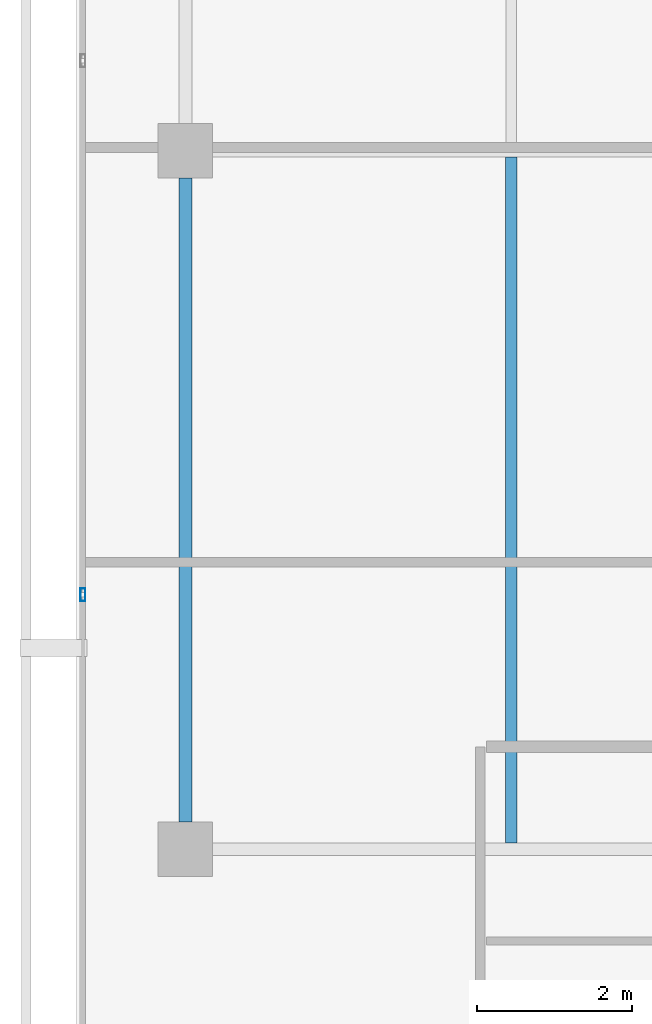
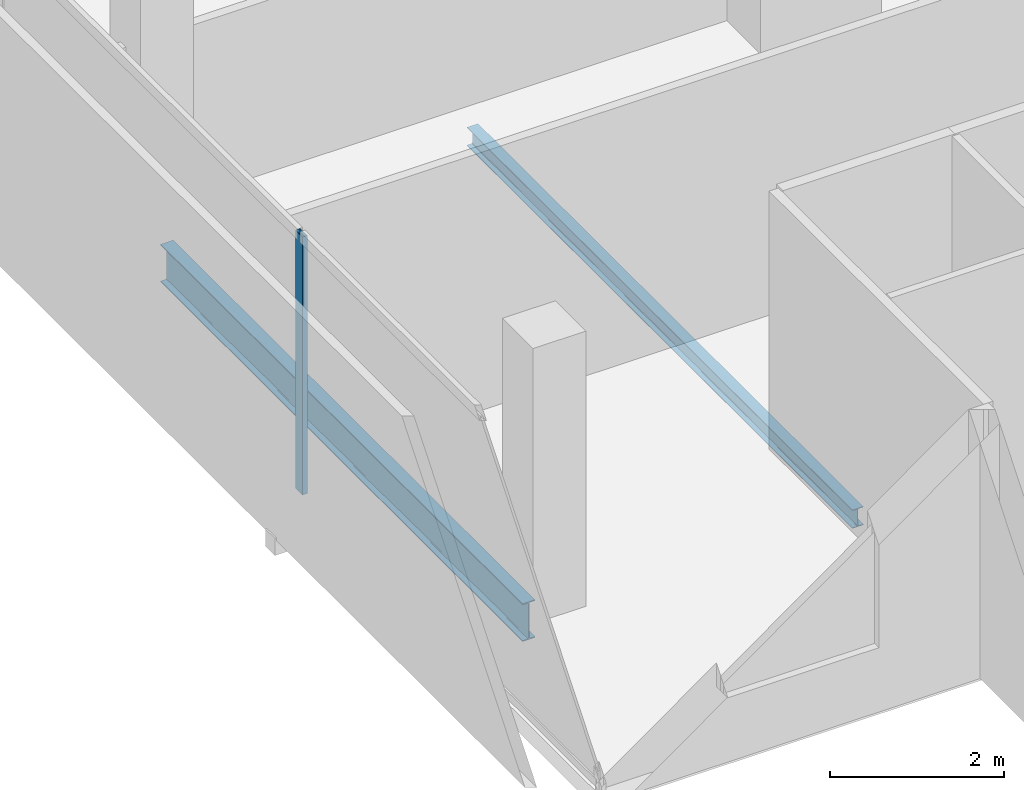
# One storey, part 4 of 25: 2 beams, 1 member, 1 element without a shape of its own.
"""IFC4 building model written with IfcOpenShell, lengths in metres."""

from ifc_helpers import new_model, si_unit, direction, frame, origin, origin_2d, place, context, subcontext, project, spatial, hollow_rectangle, i_section, extrude, material, layer, layer_set, material_profile, profile_set, type_object, element, aggregate, save


model = new_model("IFC4")

# Units and contexts
model_context = context("Model", 3, precision=1e-05, world=origin(), true_north=direction((0.0, 1.0)))
body_context = subcontext(model_context, "Body", "Model", "MODEL_VIEW")
ifc_project = project(units=[si_unit("LENGTHUNIT", "METRE"), si_unit("AREAUNIT", "SQUARE_METRE"), si_unit("VOLUMEUNIT", "CUBIC_METRE"), si_unit("PLANEANGLEUNIT", "RADIAN"), si_unit("MASSUNIT", "GRAM", prefix="KILO")], contexts=[model_context])

# Site, building, storey
site_placement = place(None, origin())
site = spatial("IfcSite", under=ifc_project, at=site_placement, CompositionType="ELEMENT")
building_placement = place(site_placement, origin())
building = spatial("IfcBuilding", under=site, at=building_placement, Name="Maruvema Waterfront Hotel and Observation Tower", CompositionType="ELEMENT")
storey_placement = place(building_placement, frame((0.0, 0.0, 308.699951171875)))
storey = spatial("IfcBuildingStorey", under=building, at=storey_placement, Name="L76", CompositionType="ELEMENT", Elevation=308.699951171875)

# Curtain wall, member
ifc_material_1 = material(Name="Anodised bronze aluminium and solar-control low-E IGU", Category="aluminium")
ifc_layer = layer(ifc_material_1, 0.159912109375, Name="Zone 3 Champagne Inner Thermal Curtain Wall System CW-04")
ifc_layer_set = layer_set([ifc_layer], Name="Anodised bronze aluminium and solar-control low-E IGU")
curtain_wall_type = type_object("IfcCurtainWallType", Name="Zone 3 Champagne Inner Thermal Curtain Wall System CW-04", PredefinedType="USERDEFINED", material=ifc_layer_set)
curtain_wall_placement = place(storey_placement, origin())
curtain_wall = element("IfcCurtainWall", 1, at=curtain_wall_placement, inside=storey, type_object=curtain_wall_type, Name="L76 Curtain Wall CW-L76-W", ObjectType="UNITISED CURTAIN WALL", PredefinedType="USERDEFINED")
ifc_material_2 = material(Name="Anodised architectural bronze aluminium", Category="aluminium")
ifc_material_profile_1 = material_profile(ifc_material_2, hollow_rectangle(XDim=0.06494140625, YDim=0.1650390625, WallThickness=0.00390625, at=origin_2d()), Name="ALU-M65x165")
ifc_profile_set_1 = profile_set([ifc_material_profile_1], Name="Anodised architectural bronze aluminium")
member_type = type_object("IfcMemberType", Name="Curtain Wall Primary Mullion ALU-M65x165", PredefinedType="MULLION", material=ifc_profile_set_1)
member_placement = place(storey_placement, frame((15.47998046875, 21.280029296875, 0.0), z_axis=(0.0, 0.0, 1.0), x_axis=(1.0, 0.0, 0.0)))
member = element("IfcMember", 2, at=member_placement, type_object=member_type, Name="CW-04 mullion 5", PredefinedType="MULLION", context=body_context, shape_type="SweptSolid", body=[
    extrude(hollow_rectangle(XDim=0.06494140625, YDim=0.1650390625, WallThickness=0.00390625, at=origin_2d()), origin(), (0.0, 0.0, 1.0), 3.610107421875),
])
aggregate(curtain_wall, [member])

# Beams
ifc_material_3 = material(Name="Steel ASTM A572 Grade 50", Category="steel")
ifc_material_profile_2 = material_profile(ifc_material_3, i_section(OverallWidth=0.166015625, OverallDepth=0.529052734375, WebThickness=0.009765625, FlangeThickness=0.013671875, FilletRadius=0.014892578125, at=origin_2d()), Name="W530x74.0")
ifc_profile_set_2 = profile_set([ifc_material_profile_2], Name="Steel ASTM A572 Grade 50")
beam_type_1 = type_object("IfcBeamType", Name="Primary Floor Girder W530x74.0", PredefinedType="BEAM", material=ifc_profile_set_2)
beam_1_placement = place(storey_placement, frame((16.800048828125, 18.35009765625, -0.50439453125), z_axis=(0.0, 1.0, 0.0), x_axis=(-1.0, 0.0, 0.0)))
element("IfcBeam", 3, at=beam_1_placement, inside=storey, type_object=beam_type_1, Name="L76 Floor Girder NS-01", PredefinedType="BEAM", context=body_context, shape_type="SweptSolid", body=[
    extrude(i_section(OverallWidth=0.166015625, OverallDepth=0.529052734375, WebThickness=0.009765625, FlangeThickness=0.013671875, FilletRadius=0.014892578125, at=origin_2d()), origin(), (0.0, 0.0, 1.0), 8.2998046875),
])
ifc_material_4 = material(Name="Steel ASTM A572 Grade 50", Category="steel")
ifc_material_profile_3 = material_profile(ifc_material_4, i_section(OverallWidth=0.14599609375, OverallDepth=0.258056640625, WebThickness=0.006103515625, FlangeThickness=0.009033203125, FilletRadius=0.012939453125, at=origin_2d()), Name="W250x32.7")
ifc_profile_set_3 = profile_set([ifc_material_profile_3], Name="Steel ASTM A572 Grade 50")
beam_type_2 = type_object("IfcBeamType", Name="Secondary Floor Joist W250x32.7", PredefinedType="JOIST", material=ifc_profile_set_3)
beam_2_placement = place(storey_placement, frame((21.0, 18.0830078125, -0.368896484375), z_axis=(0.0, 1.0, 0.0), x_axis=(-1.0, 0.0, 0.0)))
element("IfcBeam", 4, at=beam_2_placement, inside=storey, type_object=beam_type_2, Name="L76 Secondary Floor Joist JS-01", PredefinedType="JOIST", context=body_context, shape_type="SweptSolid", body=[
    extrude(i_section(OverallWidth=0.14599609375, OverallDepth=0.258056640625, WebThickness=0.006103515625, FlangeThickness=0.009033203125, FilletRadius=0.012939453125, at=origin_2d()), origin(), (0.0, 0.0, 1.0), 8.833984375),
])

save(model, "model.ifc")
